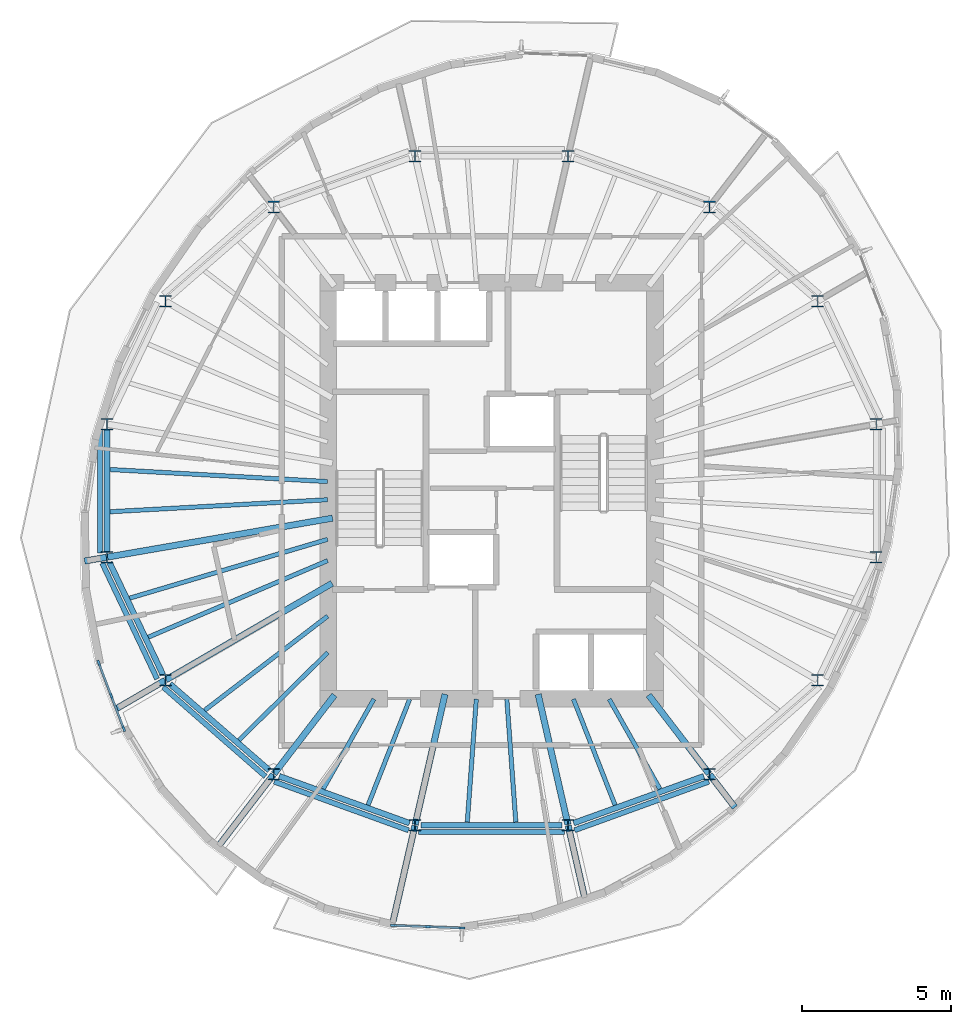
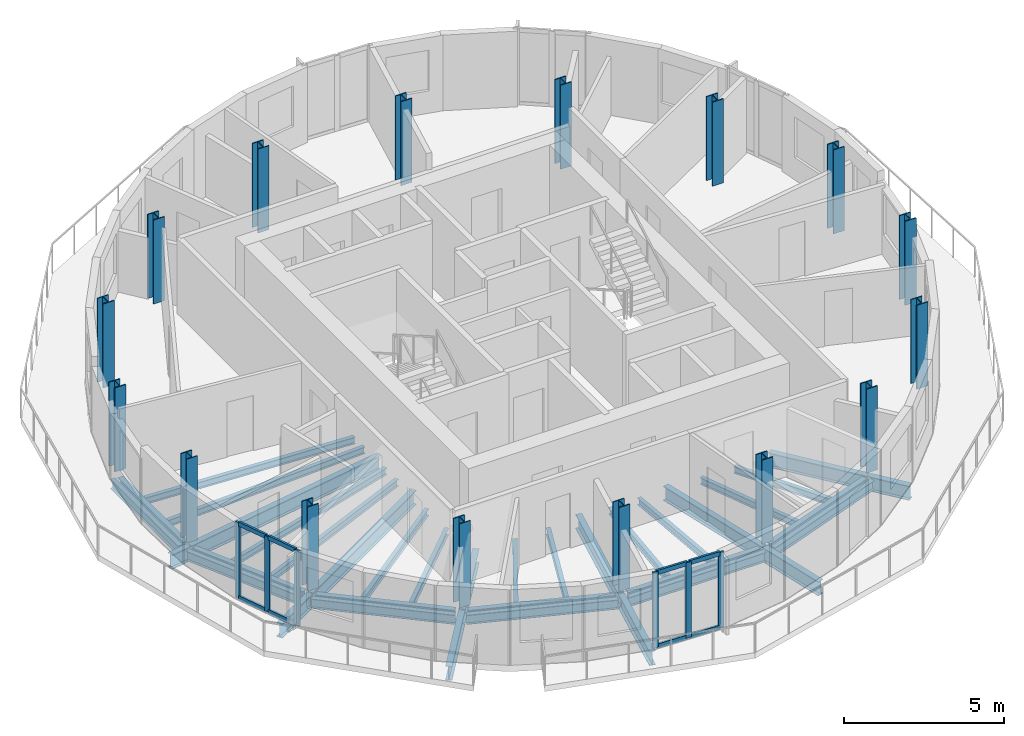
# One storey, part 1 of 11: 36 beams, 16 columns, 14 members, 2 elements without a shape of their own.
"""IFC4 building model written with IfcOpenShell, lengths in metres."""

from ifc_helpers import new_model, si_unit, direction, frame, origin, origin_2d, place, context, subcontext, project, spatial, rectangle, i_section, extrude, material, material_profile, profile_set, type_object, element, aggregate, save


model = new_model("IFC4")

# Units and contexts
model_context = context("Model", 3, precision=1e-05, world=origin(), true_north=direction((0.0, 1.0)))
body_context = subcontext(model_context, "Body", "Model", "MODEL_VIEW")
ifc_project = project(units=[si_unit("LENGTHUNIT", "METRE"), si_unit("AREAUNIT", "SQUARE_METRE"), si_unit("VOLUMEUNIT", "CUBIC_METRE"), si_unit("PLANEANGLEUNIT", "RADIAN"), si_unit("MASSUNIT", "GRAM", prefix="KILO")], contexts=[model_context])

# Site, building, storey
site_placement = place(None, origin())
site = spatial("IfcSite", under=ifc_project, at=site_placement, CompositionType="ELEMENT")
building_placement = place(site_placement, origin())
building = spatial("IfcBuilding", under=site, at=building_placement, Name="Veldorim Arch Residences", CompositionType="ELEMENT")
storey_placement = place(building_placement, frame((0.0, 0.0, 239.840087890625)))
storey = spatial("IfcBuildingStorey", under=building, at=storey_placement, Name="L72", CompositionType="ELEMENT", Elevation=239.840087890625)

# Columns
ifc_material_1 = material(Name="Steel S460", Category="steel")
ifc_material_profile_1 = material_profile(ifc_material_1, i_section(OverallWidth=0.39892578125, OverallDepth=0.3935546875, WebThickness=0.022705078125, FlangeThickness=0.03662109375, at=origin_2d()), Name="UC356x406x287")
ifc_profile_set_1 = profile_set([ifc_material_profile_1], Name="Steel S460")
column_type = type_object("IfcColumnType", Name="Structural Column UC356x406x287", PredefinedType="COLUMN", material=ifc_profile_set_1)
for number, where, z_axis, x_axis, name in (
    (1, (44.9462890625, 26.239501953125, 0.0), (0.0, 0.0, 1.0), (1.0, 0.0, 0.0), "L72 TC-Z4-01 perimeter column"),
    (2, (42.975341796875, 30.3779296875, 0.0), (0.0, 0.0, 1.0), (1.0, 0.0, 0.0), "L72 TC-Z4-02 perimeter column"),
    (3, (39.33349609375, 33.54541015625, 0.0), (0.0, 0.0, 1.0), (1.0, 0.0, 0.0), "L72 TC-Z4-03 perimeter column"),
    (4, (34.5751953125, 35.259521484375, 0.0), (0.0, 0.0, 1.0), (1.0, 0.0, 0.0), "L72 TC-Z4-04 perimeter column"),
    (5, (29.4248046875, 35.259521484375, 0.0), (0.0, 0.0, 1.0), (1.0, 0.0, 0.0), "L72 TC-Z4-05 perimeter column"),
    (6, (24.66650390625, 33.54541015625, 0.0), (0.0, 0.0, 1.0), (1.0, 0.0, 0.0), "L72 TC-Z4-06 perimeter column"),
    (7, (21.024658203125, 30.3779296875, 0.0), (0.0, 0.0, 1.0), (1.0, 0.0, 0.0), "L72 TC-Z4-07 perimeter column"),
    (8, (19.0537109375, 26.239501953125, 0.0), (0.0, 0.0, 1.0), (1.0, 0.0, 0.0), "L72 TC-Z4-08 perimeter column"),
    (9, (19.0537109375, 21.760498046875, 0.0), (0.0, 0.0, 1.0), (1.0, 0.0, 0.0), "L72 TC-Z4-09 perimeter column"),
    (10, (21.024658203125, 17.6220703125, 0.0), (0.0, 0.0, 1.0), (1.0, 0.0, 0.0), "L72 TC-Z4-10 perimeter column"),
    (11, (24.66650390625, 14.45458984375, 0.0), (0.0, 0.0, 1.0), (1.0, 0.0, 0.0), "L72 TC-Z4-11 perimeter column"),
    (12, (29.4248046875, 12.740478515625, 0.0), (0.0, 0.0, 1.0), (1.0, 0.0, 0.0), "L72 TC-Z4-12 perimeter column"),
    (13, (34.5751953125, 12.740478515625, 0.0), (0.0, 0.0, 1.0), (1.0, 0.0, 0.0), "L72 TC-Z4-13 perimeter column"),
    (14, (39.33349609375, 14.45458984375, 0.0), (0.0, 0.0, 1.0), (1.0, 0.0, 0.0), "L72 TC-Z4-14 perimeter column"),
    (15, (42.975341796875, 17.6220703125, 0.0), (0.0, 0.0, 1.0), (1.0, 0.0, 0.0), "L72 TC-Z4-15 perimeter column"),
    (16, (44.9462890625, 21.760498046875, 0.0), (0.0, 0.0, 1.0), (1.0, 0.0, 0.0), "L72 TC-Z4-16 perimeter column"),
):
    element("IfcColumn", number, at=place(storey_placement, frame(where, z_axis=z_axis, x_axis=x_axis)), inside=storey, type_object=column_type, Name=name, PredefinedType="COLUMN", context=body_context, shape_type="SweptSolid", body=[
        extrude(i_section(OverallWidth=0.39892578125, OverallDepth=0.3935546875, WebThickness=0.022705078125, FlangeThickness=0.03662109375, at=origin_2d()), origin(), (0.0, 0.0, 1.0), 3.199951171875),
    ])

# Beams
ifc_material_2 = material(Name="Steel S355", Category="steel")
ifc_material_profile_2 = material_profile(ifc_material_2, i_section(OverallWidth=0.2119140625, OverallDepth=0.54443359375, WebThickness=0.0126953125, FlangeThickness=0.021240234375, at=origin_2d()), Name="UB533x210x122")
ifc_profile_set_2 = profile_set([ifc_material_profile_2], Name="Steel S355")
beam_type_1 = type_object("IfcBeamType", Name="Structural Steel Beam UB533x210x122", PredefinedType="BEAM", material=ifc_profile_set_2)
beam_1_placement = place(storey_placement, frame((26.647705078125, 23.07421875, -0.512451171875), z_axis=(-0.985364974081, -0.170457818401, 0.0), x_axis=(0.170457818401, -0.985364974081, 0.0)))
element("IfcBeam", 17, at=beam_1_placement, inside=storey, type_object=beam_type_1, Name="L72 radial floor girder 09", PredefinedType="BEAM", context=body_context, shape_type="SweptSolid", body=[
    extrude(i_section(OverallWidth=0.2119140625, OverallDepth=0.54443359375, WebThickness=0.0126953125, FlangeThickness=0.021240234375, at=origin_2d()), origin(), (0.0, 0.0, 1.0), 7.68701171875),
])
beam_2_placement = place(storey_placement, frame((19.033935546875, 21.757080078125, -0.512451171875), z_axis=(-0.985346265547, -0.170565931453, 0.0), x_axis=(0.170565931453, -0.985346265547, 0.0)))
element("IfcBeam", 18, at=beam_2_placement, inside=storey, type_object=beam_type_1, Name="L72 radial edge cantilever girder 09", PredefinedType="BEAM", context=body_context, shape_type="SweptSolid", body=[
    extrude(i_section(OverallWidth=0.2119140625, OverallDepth=0.54443359375, WebThickness=0.0126953125, FlangeThickness=0.021240234375, at=origin_2d()), origin(), (0.0, 0.0, 1.0), 0.744384765625),
])
beam_3_placement = place(storey_placement, frame((26.629638671875, 20.87939453125, -0.512451171875), z_axis=(-0.864595736304, -0.502468121142, 0.0), x_axis=(0.502468121142, -0.864595736304, 0.0)))
element("IfcBeam", 19, at=beam_3_placement, inside=storey, type_object=beam_type_1, Name="L72 radial floor girder 10", PredefinedType="BEAM", context=body_context, shape_type="SweptSolid", body=[
    extrude(i_section(OverallWidth=0.2119140625, OverallDepth=0.54443359375, WebThickness=0.0126953125, FlangeThickness=0.021240234375, at=origin_2d()), origin(), (0.0, 0.0, 1.0), 6.462646484375),
])
beam_4_placement = place(storey_placement, frame((21.00732421875, 17.612060546875, -0.512451171875), z_axis=(-0.864624474783, -0.502418667653, 0.0), x_axis=(0.502418667653, -0.864624474783, 0.0)))
element("IfcBeam", 20, at=beam_4_placement, inside=storey, type_object=beam_type_1, Name="L72 radial edge cantilever girder 10", PredefinedType="BEAM", context=body_context, shape_type="SweptSolid", body=[
    extrude(i_section(OverallWidth=0.2119140625, OverallDepth=0.54443359375, WebThickness=0.0126953125, FlangeThickness=0.021240234375, at=origin_2d()), origin(), (0.0, 0.0, 1.0), 1.892578125),
])
beam_5_placement = place(storey_placement, frame((26.71337890625, 17.118896484375, -0.512451171875), z_axis=(-0.609258442308, -0.792971721108, 0.0), x_axis=(0.792971721108, -0.609258442308, 0.0)))
element("IfcBeam", 21, at=beam_5_placement, inside=storey, type_object=beam_type_1, Name="L72 radial floor girder 11", PredefinedType="BEAM", context=body_context, shape_type="SweptSolid", body=[
    extrude(i_section(OverallWidth=0.2119140625, OverallDepth=0.54443359375, WebThickness=0.0126953125, FlangeThickness=0.021240234375, at=origin_2d()), origin(), (0.0, 0.0, 1.0), 3.339599609375),
])
beam_6_placement = place(storey_placement, frame((24.654296875, 14.438720703125, -0.512451171875), z_axis=(-0.609237247817, -0.792988004873, 0.0), x_axis=(0.792988004873, -0.609237247817, 0.0)))
element("IfcBeam", 22, at=beam_6_placement, inside=storey, type_object=beam_type_1, Name="L72 radial edge cantilever girder 11", PredefinedType="BEAM", context=body_context, shape_type="SweptSolid", body=[
    extrude(i_section(OverallWidth=0.2119140625, OverallDepth=0.54443359375, WebThickness=0.0126953125, FlangeThickness=0.021240234375, at=origin_2d()), origin(), (0.0, 0.0, 1.0), 3.09033203125),
])
beam_7_placement = place(storey_placement, frame((30.432373046875, 17.146240234375, -0.512451171875), z_axis=(-0.222952976993, -0.97482920045, 0.0), x_axis=(0.97482920045, -0.222952976993, 0.0)))
element("IfcBeam", 23, at=beam_7_placement, inside=storey, type_object=beam_type_1, Name="L72 radial floor girder 12", PredefinedType="BEAM", context=body_context, shape_type="SweptSolid", body=[
    extrude(i_section(OverallWidth=0.2119140625, OverallDepth=0.54443359375, WebThickness=0.0126953125, FlangeThickness=0.021240234375, at=origin_2d()), origin(), (0.0, 0.0, 1.0), 4.49951171875),
])
beam_8_placement = place(storey_placement, frame((29.42041015625, 12.72119140625, -0.512451171875), z_axis=(-0.222994562623, -0.974819688476, 0.0), x_axis=(0.974819688476, -0.222994562623, 0.0)))
element("IfcBeam", 24, at=beam_8_placement, inside=storey, type_object=beam_type_1, Name="L72 radial edge cantilever girder 12", PredefinedType="BEAM", context=body_context, shape_type="SweptSolid", body=[
    extrude(i_section(OverallWidth=0.2119140625, OverallDepth=0.54443359375, WebThickness=0.0126953125, FlangeThickness=0.021240234375, at=origin_2d()), origin(), (0.0, 0.0, 1.0), 3.280029296875),
])
beam_9_placement = place(storey_placement, frame((33.567626953125, 17.146240234375, -0.512451171875), z_axis=(0.222952976993, -0.97482920045, 0.0), x_axis=(0.97482920045, 0.222952976993, 0.0)))
element("IfcBeam", 25, at=beam_9_placement, inside=storey, type_object=beam_type_1, Name="L72 radial floor girder 13", PredefinedType="BEAM", context=body_context, shape_type="SweptSolid", body=[
    extrude(i_section(OverallWidth=0.2119140625, OverallDepth=0.54443359375, WebThickness=0.0126953125, FlangeThickness=0.021240234375, at=origin_2d()), origin(), (0.0, 0.0, 1.0), 4.49951171875),
])
beam_10_placement = place(storey_placement, frame((34.57958984375, 12.72119140625, -0.512451171875), z_axis=(0.222987741218, -0.974821248879, 0.0), x_axis=(0.974821248879, 0.222987741218, 0.0)))
element("IfcBeam", 26, at=beam_10_placement, inside=storey, type_object=beam_type_1, Name="L72 radial edge cantilever girder 13", PredefinedType="BEAM", context=body_context, shape_type="SweptSolid", body=[
    extrude(i_section(OverallWidth=0.2119140625, OverallDepth=0.54443359375, WebThickness=0.0126953125, FlangeThickness=0.021240234375, at=origin_2d()), origin(), (0.0, 0.0, 1.0), 2.56298828125),
])
beam_11_placement = place(storey_placement, frame((37.28662109375, 17.118896484375, -0.512451171875), z_axis=(0.609258442308, -0.792971721108, 0.0), x_axis=(0.792971721108, 0.609258442308, 0.0)))
element("IfcBeam", 27, at=beam_11_placement, inside=storey, type_object=beam_type_1, Name="L72 radial floor girder 14", PredefinedType="BEAM", context=body_context, shape_type="SweptSolid", body=[
    extrude(i_section(OverallWidth=0.2119140625, OverallDepth=0.54443359375, WebThickness=0.0126953125, FlangeThickness=0.021240234375, at=origin_2d()), origin(), (0.0, 0.0, 1.0), 3.339599609375),
])
beam_12_placement = place(storey_placement, frame((39.345703125, 14.438720703125, -0.512451171875), z_axis=(0.609217680659, -0.793003037555, 0.0), x_axis=(0.793003037555, 0.609217680659, 0.0)))
element("IfcBeam", 28, at=beam_12_placement, inside=storey, type_object=beam_type_1, Name="L72 radial edge cantilever girder 14", PredefinedType="BEAM", context=body_context, shape_type="SweptSolid", body=[
    extrude(i_section(OverallWidth=0.2119140625, OverallDepth=0.54443359375, WebThickness=0.0126953125, FlangeThickness=0.021240234375, at=origin_2d()), origin(), (0.0, 0.0, 1.0), 1.38818359375),
])
ifc_material_3 = material(Name="Steel S355", Category="steel")
ifc_material_profile_3 = material_profile(ifc_material_3, i_section(OverallWidth=0.146484375, OverallDepth=0.256103515625, WebThickness=0.00634765625, FlangeThickness=0.010986328125, at=origin_2d()), Name="UB254x146x37")
ifc_profile_set_3 = profile_set([ifc_material_profile_3], Name="Steel S355")
beam_type_2 = type_object("IfcBeamType", Name="Structural Steel Joist UB254x146x37", PredefinedType="JOIST", material=ifc_profile_set_3)
for number, where, z_axis, x_axis, name in (
    (29, (26.47998046875, 24.3056640625, -0.3681640625), (-0.998472000884, 0.055259962464, 0.0), (-0.055259962464, -0.998472000884, 0.0), "L72 secondary radial floor joist 08-1"),
    (30, (26.47998046875, 23.6943359375, -0.3681640625), (-0.998472000884, -0.055259962464, 0.0), (0.055259962464, -0.998472000884, 0.0), "L72 secondary radial floor joist 08-2"),
):
    element("IfcBeam", number, at=place(storey_placement, frame(where, z_axis=z_axis, x_axis=x_axis)), inside=storey, type_object=beam_type_2, Name=name, PredefinedType="JOIST", context=body_context, shape_type="SweptSolid", body=[
        extrude(i_section(OverallWidth=0.146484375, OverallDepth=0.256103515625, WebThickness=0.00634765625, FlangeThickness=0.010986328125, at=origin_2d()), origin(), (0.0, 0.0, 1.0), 7.33837890625),
    ])
beam_13_placement = place(storey_placement, frame((26.480712890625, 22.360595703125, -0.3681640625), z_axis=(-0.958594432792, -0.284774846889, 0.0), x_axis=(0.284774846889, -0.958594432792, 0.0)))
element("IfcBeam", 31, at=beam_13_placement, inside=storey, type_object=beam_type_2, Name="L72 secondary radial floor joist 09-1", PredefinedType="JOIST", context=body_context, shape_type="SweptSolid", body=[
    extrude(i_section(OverallWidth=0.146484375, OverallDepth=0.256103515625, WebThickness=0.00634765625, FlangeThickness=0.010986328125, at=origin_2d()), origin(), (0.0, 0.0, 1.0), 6.949462890625),
])
beam_14_placement = place(storey_placement, frame((26.481689453125, 21.644287109375, -0.3681640625), z_axis=(-0.919725161652, -0.392562895629, 0.0), x_axis=(0.392562895629, -0.919725161652, 0.0)))
element("IfcBeam", 32, at=beam_14_placement, inside=storey, type_object=beam_type_2, Name="L72 secondary radial floor joist 09-2", PredefinedType="JOIST", context=body_context, shape_type="SweptSolid", body=[
    extrude(i_section(OverallWidth=0.146484375, OverallDepth=0.256103515625, WebThickness=0.00634765625, FlangeThickness=0.010986328125, at=origin_2d()), origin(), (0.0, 0.0, 1.0), 6.5625),
])
beam_15_placement = place(storey_placement, frame((26.484130859375, 19.777099609375, -0.3681640625), z_axis=(-0.794013672216, -0.607899899929, 0.0), x_axis=(0.607899899929, -0.794013672216, 0.0)))
element("IfcBeam", 33, at=beam_15_placement, inside=storey, type_object=beam_type_2, Name="L72 secondary radial floor joist 10-1", PredefinedType="JOIST", context=body_context, shape_type="SweptSolid", body=[
    extrude(i_section(OverallWidth=0.146484375, OverallDepth=0.256103515625, WebThickness=0.00634765625, FlangeThickness=0.010986328125, at=origin_2d()), origin(), (0.0, 0.0, 1.0), 5.217041015625),
])
beam_16_placement = place(storey_placement, frame((26.48583984375, 18.55224609375, -0.3681640625), z_axis=(-0.711396725432, -0.702790650937, 0.0), x_axis=(0.702790650937, -0.711396725432, 0.0)))
element("IfcBeam", 34, at=beam_16_placement, inside=storey, type_object=beam_type_2, Name="L72 secondary radial floor joist 10-2", PredefinedType="JOIST", context=body_context, shape_type="SweptSolid", body=[
    extrude(i_section(OverallWidth=0.146484375, OverallDepth=0.256103515625, WebThickness=0.00634765625, FlangeThickness=0.010986328125, at=origin_2d()), origin(), (0.0, 0.0, 1.0), 4.198486328125),
])
beam_17_placement = place(storey_placement, frame((28.039794921875, 16.982666015625, -0.3681640625), z_axis=(-0.491452469585, -0.870904397818, 0.0), x_axis=(0.870904397818, -0.491452469585, 0.0)))
element("IfcBeam", 35, at=beam_17_placement, inside=storey, type_object=beam_type_2, Name="L72 secondary radial floor joist 11-1", PredefinedType="JOIST", context=body_context, shape_type="SweptSolid", body=[
    extrude(i_section(OverallWidth=0.146484375, OverallDepth=0.256103515625, WebThickness=0.00634765625, FlangeThickness=0.010986328125, at=origin_2d()), origin(), (0.0, 0.0, 1.0), 3.472412109375),
])
beam_18_placement = place(storey_placement, frame((29.24365234375, 16.9814453125, -0.3681640625), z_axis=(-0.365581383042, -0.930779379001, 0.0), x_axis=(0.930779379001, -0.365581383042, 0.0)))
element("IfcBeam", 36, at=beam_18_placement, inside=storey, type_object=beam_type_2, Name="L72 secondary radial floor joist 11-2", PredefinedType="JOIST", context=body_context, shape_type="SweptSolid", body=[
    extrude(i_section(OverallWidth=0.146484375, OverallDepth=0.256103515625, WebThickness=0.00634765625, FlangeThickness=0.010986328125, at=origin_2d()), origin(), (0.0, 0.0, 1.0), 3.83056640625),
])
for number, where, z_axis, x_axis, name in (
    (37, (31.486083984375, 16.97998046875, -0.3681640625), (-0.072985625899, -0.997332992742, 0.0), (0.997332992742, -0.072985625899, 0.0), "L72 secondary radial floor joist 12-1"),
    (38, (32.513916015625, 16.97998046875, -0.3681640625), (0.072985625899, -0.997332992742, 0.0), (0.997332992742, 0.072985625899, 0.0), "L72 secondary radial floor joist 12-2"),
):
    element("IfcBeam", number, at=place(storey_placement, frame(where, z_axis=z_axis, x_axis=x_axis)), inside=storey, type_object=beam_type_2, Name=name, PredefinedType="JOIST", context=body_context, shape_type="SweptSolid", body=[
        extrude(i_section(OverallWidth=0.146484375, OverallDepth=0.256103515625, WebThickness=0.00634765625, FlangeThickness=0.010986328125, at=origin_2d()), origin(), (0.0, 0.0, 1.0), 4.151123046875),
    ])
beam_19_placement = place(storey_placement, frame((34.75634765625, 16.9814453125, -0.3681640625), z_axis=(0.365581383042, -0.930779379001, 0.0), x_axis=(0.930779379001, 0.365581383042, 0.0)))
element("IfcBeam", 39, at=beam_19_placement, inside=storey, type_object=beam_type_2, Name="L72 secondary radial floor joist 13-1", PredefinedType="JOIST", context=body_context, shape_type="SweptSolid", body=[
    extrude(i_section(OverallWidth=0.146484375, OverallDepth=0.256103515625, WebThickness=0.00634765625, FlangeThickness=0.010986328125, at=origin_2d()), origin(), (0.0, 0.0, 1.0), 3.83056640625),
])
beam_20_placement = place(storey_placement, frame((35.960205078125, 16.982666015625, -0.3681640625), z_axis=(0.491452469585, -0.870904397818, 0.0), x_axis=(0.870904397818, 0.491452469585, 0.0)))
element("IfcBeam", 40, at=beam_20_placement, inside=storey, type_object=beam_type_2, Name="L72 secondary radial floor joist 13-2", PredefinedType="JOIST", context=body_context, shape_type="SweptSolid", body=[
    extrude(i_section(OverallWidth=0.146484375, OverallDepth=0.256103515625, WebThickness=0.00634765625, FlangeThickness=0.010986328125, at=origin_2d()), origin(), (0.0, 0.0, 1.0), 3.472412109375),
])
ifc_material_4 = material(Name="Steel S355", Category="steel")
ifc_material_profile_4 = material_profile(ifc_material_4, i_section(OverallWidth=0.172119140625, OverallDepth=0.35791015625, WebThickness=0.008056640625, FlangeThickness=0.012939453125, at=origin_2d()), Name="UB356x171x57")
ifc_profile_set_4 = profile_set([ifc_material_profile_4], Name="Steel S355")
beam_type_3 = type_object("IfcBeamType", Name="Structural Steel Spandrel UB356x171x57", PredefinedType="SPANDREL", material=ifc_profile_set_4)
beam_21_placement = place(storey_placement, frame((18.817138671875, 26.10498046875, -0.439208984375), z_axis=(0.0, -1.0, 0.0), x_axis=(1.0, 0.0, 0.0)))
element("IfcBeam", 41, at=beam_21_placement, inside=storey, type_object=beam_type_3, Name="L72 perimeter chord spandrel beam 08", PredefinedType="SPANDREL", context=body_context, shape_type="SweptSolid", body=[
    extrude(i_section(OverallWidth=0.172119140625, OverallDepth=0.35791015625, WebThickness=0.008056640625, FlangeThickness=0.012939453125, at=origin_2d()), origin(), (0.0, 0.0, 1.0), 4.2099609375),
])
beam_22_placement = place(storey_placement, frame((18.892333984375, 21.560791015625, -0.439208984375), z_axis=(0.428453398876, -0.903563879862, 0.0), x_axis=(0.903563879862, 0.428453398876, 0.0)))
element("IfcBeam", 42, at=beam_22_placement, inside=storey, type_object=beam_type_3, Name="L72 perimeter chord spandrel beam 09", PredefinedType="SPANDREL", context=body_context, shape_type="SweptSolid", body=[
    extrude(i_section(OverallWidth=0.172119140625, OverallDepth=0.35791015625, WebThickness=0.008056640625, FlangeThickness=0.012939453125, at=origin_2d()), origin(), (0.0, 0.0, 1.0), 4.31689453125),
])
beam_23_placement = place(storey_placement, frame((20.94921875, 17.385986328125, -0.439208984375), z_axis=(0.752901089301, -0.658133686821, 0.0), x_axis=(0.658133686821, 0.752901089301, 0.0)))
element("IfcBeam", 43, at=beam_23_placement, inside=storey, type_object=beam_type_3, Name="L72 perimeter chord spandrel beam 10", PredefinedType="SPANDREL", context=body_context, shape_type="SweptSolid", body=[
    extrude(i_section(OverallWidth=0.172119140625, OverallDepth=0.35791015625, WebThickness=0.008056640625, FlangeThickness=0.012939453125, at=origin_2d()), origin(), (0.0, 0.0, 1.0), 4.567626953125),
])
beam_24_placement = place(storey_placement, frame((24.685302734375, 14.20458984375, -0.439208984375), z_axis=(0.940181197783, -0.340674794099, 0.0), x_axis=(0.340674794099, 0.940181197783, 0.0)))
element("IfcBeam", 44, at=beam_24_placement, inside=storey, type_object=beam_type_3, Name="L72 perimeter chord spandrel beam 11", PredefinedType="SPANDREL", context=body_context, shape_type="SweptSolid", body=[
    extrude(i_section(OverallWidth=0.172119140625, OverallDepth=0.35791015625, WebThickness=0.008056640625, FlangeThickness=0.012939453125, at=origin_2d()), origin(), (0.0, 0.0, 1.0), 4.80859375),
])
beam_25_placement = place(storey_placement, frame((29.546875, 12.506591796875, -0.439208984375), z_axis=(1.0, 0.0, 0.0), x_axis=(0.0, 1.0, 0.0)))
element("IfcBeam", 45, at=beam_25_placement, inside=storey, type_object=beam_type_3, Name="L72 perimeter chord spandrel beam 12", PredefinedType="SPANDREL", context=body_context, shape_type="SweptSolid", body=[
    extrude(i_section(OverallWidth=0.172119140625, OverallDepth=0.35791015625, WebThickness=0.008056640625, FlangeThickness=0.012939453125, at=origin_2d()), origin(), (0.0, 0.0, 1.0), 4.90625),
])
beam_26_placement = place(storey_placement, frame((34.793701171875, 12.56640625, -0.439208984375), z_axis=(0.940181197783, 0.340674794099, 0.0), x_axis=(-0.340674794099, 0.940181197783, 0.0)))
element("IfcBeam", 46, at=beam_26_placement, inside=storey, type_object=beam_type_3, Name="L72 perimeter chord spandrel beam 13", PredefinedType="SPANDREL", context=body_context, shape_type="SweptSolid", body=[
    extrude(i_section(OverallWidth=0.172119140625, OverallDepth=0.35791015625, WebThickness=0.008056640625, FlangeThickness=0.012939453125, at=origin_2d()), origin(), (0.0, 0.0, 1.0), 4.80859375),
])
ifc_material_5 = material(Name="Steel S355", Category="steel")
ifc_material_profile_5 = material_profile(ifc_material_5, i_section(OverallWidth=0.19140625, OverallDepth=0.4599609375, WebThickness=0.010009765625, FlangeThickness=0.01611328125, at=origin_2d()), Name="UB457x191x82")
ifc_profile_set_5 = profile_set([ifc_material_profile_5], Name="Steel S355")
beam_type_4 = type_object("IfcBeamType", Name="Structural Steel Spandrel UB457x191x82", PredefinedType="SPANDREL", material=ifc_profile_set_5)
beam_27_placement = place(storey_placement, frame((19.0537109375, 26.0400390625, -0.469970703125), z_axis=(0.0, -1.0, 0.0), x_axis=(1.0, 0.0, 0.0)))
element("IfcBeam", 47, at=beam_27_placement, inside=storey, type_object=beam_type_4, Name="L72 perimeter ring tie beam 08", PredefinedType="SPANDREL", context=body_context, shape_type="SweptSolid", body=[
    extrude(i_section(OverallWidth=0.19140625, OverallDepth=0.4599609375, WebThickness=0.010009765625, FlangeThickness=0.01611328125, at=origin_2d()), origin(), (0.0, 0.0, 1.0), 4.080078125),
])
beam_28_placement = place(storey_placement, frame((19.139404296875, 21.580322265625, -0.469970703125), z_axis=(0.42997887291, -0.902838949564, 0.0), x_axis=(0.902838949564, 0.42997887291, 0.0)))
element("IfcBeam", 48, at=beam_28_placement, inside=storey, type_object=beam_type_4, Name="L72 perimeter ring tie beam 09", PredefinedType="SPANDREL", context=body_context, shape_type="SweptSolid", body=[
    extrude(i_section(OverallWidth=0.19140625, OverallDepth=0.4599609375, WebThickness=0.010009765625, FlangeThickness=0.01611328125, at=origin_2d()), origin(), (0.0, 0.0, 1.0), 4.1845703125),
])
beam_29_placement = place(storey_placement, frame((21.175048828125, 17.4912109375, -0.469970703125), z_axis=(0.754578219063, -0.656210112171, 0.0), x_axis=(0.656210112171, 0.754578219063, 0.0)))
element("IfcBeam", 49, at=beam_29_placement, inside=storey, type_object=beam_type_4, Name="L72 perimeter ring tie beam 10", PredefinedType="SPANDREL", context=body_context, shape_type="SweptSolid", body=[
    extrude(i_section(OverallWidth=0.19140625, OverallDepth=0.4599609375, WebThickness=0.010009765625, FlangeThickness=0.01611328125, at=origin_2d()), origin(), (0.0, 0.0, 1.0), 4.427734375),
])
beam_30_placement = place(storey_placement, frame((24.854248046875, 14.38720703125, -0.469970703125), z_axis=(0.940799194754, -0.338964415757, 0.0), x_axis=(0.338964415757, 0.940799194754, 0.0)))
element("IfcBeam", 50, at=beam_30_placement, inside=storey, type_object=beam_type_4, Name="L72 perimeter ring tie beam 11", PredefinedType="SPANDREL", context=body_context, shape_type="SweptSolid", body=[
    extrude(i_section(OverallWidth=0.19140625, OverallDepth=0.4599609375, WebThickness=0.010009765625, FlangeThickness=0.01611328125, at=origin_2d()), origin(), (0.0, 0.0, 1.0), 4.65869140625),
])
beam_31_placement = place(storey_placement, frame((29.624267578125, 12.740478515625, -0.469970703125), z_axis=(1.0, 0.0, 0.0), x_axis=(0.0, 1.0, 0.0)))
element("IfcBeam", 51, at=beam_31_placement, inside=storey, type_object=beam_type_4, Name="L72 perimeter ring tie beam 12", PredefinedType="SPANDREL", context=body_context, shape_type="SweptSolid", body=[
    extrude(i_section(OverallWidth=0.19140625, OverallDepth=0.4599609375, WebThickness=0.010009765625, FlangeThickness=0.01611328125, at=origin_2d()), origin(), (0.0, 0.0, 1.0), 4.75146484375),
])
beam_32_placement = place(storey_placement, frame((34.762939453125, 12.80810546875, -0.469970703125), z_axis=(0.940799194754, 0.338964415757, 0.0), x_axis=(-0.338964415757, 0.940799194754, 0.0)))
element("IfcBeam", 52, at=beam_32_placement, inside=storey, type_object=beam_type_4, Name="L72 perimeter ring tie beam 13", PredefinedType="SPANDREL", context=body_context, shape_type="SweptSolid", body=[
    extrude(i_section(OverallWidth=0.19140625, OverallDepth=0.4599609375, WebThickness=0.010009765625, FlangeThickness=0.01611328125, at=origin_2d()), origin(), (0.0, 0.0, 1.0), 4.65869140625),
])

# Curtain wall, members
ifc_material_6 = material(Name="Aluminium", Category="aluminium")
curtain_wall_type = type_object("IfcCurtainWallType", Name="Zone 4 High-Altitude Unitised Curtain Wall", PredefinedType="NOTDEFINED", material=ifc_material_6)
curtain_wall_1_placement = place(storey_placement, origin())
curtain_wall_1 = element("IfcCurtainWall", 53, at=curtain_wall_1_placement, inside=storey, type_object=curtain_wall_type, Name="L72 unitised curtain wall bay 15", PredefinedType="NOTDEFINED")
ifc_material_7 = material(Name="Aluminium", Category="aluminium")
ifc_material_profile_6 = material_profile(ifc_material_7, rectangle(XDim=0.074951171875, YDim=0.195068359375, at=origin_2d()), Name="ALU_MUL_75x195")
ifc_profile_set_6 = profile_set([ifc_material_profile_6], Name="Aluminium")
member_type_1 = type_object("IfcMemberType", Name="Zone 4 High-Altitude Unitised Curtain Wall Mullion 75x195", PredefinedType="MULLION", material=ifc_profile_set_6)
member_1_placement = place(storey_placement, frame((19.618408203125, 15.985107421875, 0.0), z_axis=(0.0, 0.0, 1.0), x_axis=(-0.934865414393, -0.355002333755, 0.0)))
member_1 = element("IfcMember", 54, at=member_1_placement, type_object=member_type_1, Name="CW-Z4 mullion 1", PredefinedType="MULLION", context=body_context, shape_type="SweptSolid", body=[
    extrude(rectangle(XDim=0.074951171875, YDim=0.195068359375, at=origin_2d()), origin(), (0.0, 0.0, 1.0), 2.8798828125),
])
member_2_placement = place(storey_placement, frame((19.1982421875, 17.091552734375, 0.0), z_axis=(0.0, 0.0, 1.0), x_axis=(-0.934865414393, -0.355002333755, 0.0)))
member_2 = element("IfcMember", 55, at=member_2_placement, type_object=member_type_1, Name="CW-Z4 mullion 2", PredefinedType="MULLION", context=body_context, shape_type="SweptSolid", body=[
    extrude(rectangle(XDim=0.074951171875, YDim=0.195068359375, at=origin_2d()), origin(), (0.0, 0.0, 1.0), 2.8798828125),
])
member_3_placement = place(storey_placement, frame((18.778076171875, 18.197998046875, 0.0), z_axis=(0.0, 0.0, 1.0), x_axis=(-0.934865414393, -0.355002333755, 0.0)))
member_3 = element("IfcMember", 56, at=member_3_placement, type_object=member_type_1, Name="CW-Z4 mullion 3", PredefinedType="MULLION", context=body_context, shape_type="SweptSolid", body=[
    extrude(rectangle(XDim=0.074951171875, YDim=0.195068359375, at=origin_2d()), origin(), (0.0, 0.0, 1.0), 2.8798828125),
])

curtain_wall_2_placement = place(storey_placement, origin())
curtain_wall_2 = element("IfcCurtainWall", 57, at=curtain_wall_2_placement, inside=storey, type_object=curtain_wall_type, Name="L72 unitised curtain wall bay 21", PredefinedType="NOTDEFINED")
member_4_placement = place(storey_placement, frame((31.0068359375, 9.277099609375, 0.0), z_axis=(0.0, 0.0, 1.0), x_axis=(-0.037606436173, -0.999292627791, 0.0)))
member_4 = element("IfcMember", 58, at=member_4_placement, type_object=member_type_1, Name="CW-Z4 mullion 1", PredefinedType="MULLION", context=body_context, shape_type="SweptSolid", body=[
    extrude(rectangle(XDim=0.074951171875, YDim=0.195068359375, at=origin_2d()), origin(), (0.0, 0.0, 1.0), 2.8798828125),
])
member_5_placement = place(storey_placement, frame((29.851318359375, 9.320556640625, 0.0), z_axis=(0.0, 0.0, 1.0), x_axis=(-0.037606436173, -0.999292627791, 0.0)))
member_5 = element("IfcMember", 59, at=member_5_placement, type_object=member_type_1, Name="CW-Z4 mullion 2", PredefinedType="MULLION", context=body_context, shape_type="SweptSolid", body=[
    extrude(rectangle(XDim=0.074951171875, YDim=0.195068359375, at=origin_2d()), origin(), (0.0, 0.0, 1.0), 2.8798828125),
])
member_6_placement = place(storey_placement, frame((28.695556640625, 9.364013671875, 0.0), z_axis=(0.0, 0.0, 1.0), x_axis=(-0.037606436173, -0.999292627791, 0.0)))
member_6 = element("IfcMember", 60, at=member_6_placement, type_object=member_type_1, Name="CW-Z4 mullion 3", PredefinedType="MULLION", context=body_context, shape_type="SweptSolid", body=[
    extrude(rectangle(XDim=0.074951171875, YDim=0.195068359375, at=origin_2d()), origin(), (0.0, 0.0, 1.0), 2.8798828125),
])

# Member
ifc_material_8 = material(Name="Aluminium", Category="aluminium")
ifc_material_profile_7 = material_profile(ifc_material_8, rectangle(XDim=0.074951171875, YDim=0.1650390625, at=origin_2d()), Name="ALU_TRN_75x165")
ifc_profile_set_7 = profile_set([ifc_material_profile_7], Name="Aluminium")
member_type_2 = type_object("IfcMemberType", Name="Zone 4 High-Altitude Unitised Curtain Wall Transom 75x165", PredefinedType="USERDEFINED", material=ifc_profile_set_7)
member_7_placement = place(storey_placement, frame((19.60498046875, 16.020263671875, 0.037353515625), z_axis=(-0.355079172172, 0.934836232444, 0.0), x_axis=(-0.934836232444, -0.355079172172, 0.0)))
member_7 = element("IfcMember", 61, at=member_7_placement, type_object=member_type_2, Name="CW-Z4 transom 1.1", ObjectType="TRANSOM", PredefinedType="USERDEFINED", context=body_context, shape_type="SweptSolid", body=[
    extrude(rectangle(XDim=0.074951171875, YDim=0.1650390625, at=origin_2d()), origin(), (0.0, 0.0, 1.0), 1.1083984375),
])

member_8_placement = place(storey_placement, frame((19.60498046875, 16.020263671875, 2.842529296875), z_axis=(-0.355079172172, 0.934836232444, 0.0), x_axis=(-0.934836232444, -0.355079172172, 0.0)))
member_8 = element("IfcMember", 62, at=member_8_placement, type_object=member_type_2, Name="CW-Z4 transom 1.2", ObjectType="TRANSOM", PredefinedType="USERDEFINED", context=body_context, shape_type="SweptSolid", body=[
    extrude(rectangle(XDim=0.074951171875, YDim=0.1650390625, at=origin_2d()), origin(), (0.0, 0.0, 1.0), 1.1083984375),
])

member_9_placement = place(storey_placement, frame((19.184814453125, 17.126708984375, 0.037353515625), z_axis=(-0.355079172172, 0.934836232444, 0.0), x_axis=(-0.934836232444, -0.355079172172, 0.0)))
member_9 = element("IfcMember", 63, at=member_9_placement, type_object=member_type_2, Name="CW-Z4 transom 2.1", ObjectType="TRANSOM", PredefinedType="USERDEFINED", context=body_context, shape_type="SweptSolid", body=[
    extrude(rectangle(XDim=0.074951171875, YDim=0.1650390625, at=origin_2d()), origin(), (0.0, 0.0, 1.0), 1.1083984375),
])

member_10_placement = place(storey_placement, frame((19.184814453125, 17.126708984375, 2.842529296875), z_axis=(-0.355079172172, 0.934836232444, 0.0), x_axis=(-0.934836232444, -0.355079172172, 0.0)))
member_10 = element("IfcMember", 64, at=member_10_placement, type_object=member_type_2, Name="CW-Z4 transom 2.2", ObjectType="TRANSOM", PredefinedType="USERDEFINED", context=body_context, shape_type="SweptSolid", body=[
    extrude(rectangle(XDim=0.074951171875, YDim=0.1650390625, at=origin_2d()), origin(), (0.0, 0.0, 1.0), 1.1083984375),
])

aggregate(curtain_wall_1, [member_1, member_2, member_3, member_7, member_8, member_9, member_10])

member_11_placement = place(storey_placement, frame((30.96923828125, 9.2783203125, 0.037353515625), z_axis=(-0.999288922872, 0.037704756014, 0.0), x_axis=(-0.037704756014, -0.999288922872, 0.0)))
member_11 = element("IfcMember", 65, at=member_11_placement, type_object=member_type_2, Name="CW-Z4 transom 1.1", ObjectType="TRANSOM", PredefinedType="USERDEFINED", context=body_context, shape_type="SweptSolid", body=[
    extrude(rectangle(XDim=0.074951171875, YDim=0.1650390625, at=origin_2d()), origin(), (0.0, 0.0, 1.0), 1.081298828125),
])

member_12_placement = place(storey_placement, frame((30.96923828125, 9.2783203125, 2.842529296875), z_axis=(-0.999288922872, 0.037704756014, 0.0), x_axis=(-0.037704756014, -0.999288922872, 0.0)))
member_12 = element("IfcMember", 66, at=member_12_placement, type_object=member_type_2, Name="CW-Z4 transom 1.2", ObjectType="TRANSOM", PredefinedType="USERDEFINED", context=body_context, shape_type="SweptSolid", body=[
    extrude(rectangle(XDim=0.074951171875, YDim=0.1650390625, at=origin_2d()), origin(), (0.0, 0.0, 1.0), 1.081298828125),
])

member_13_placement = place(storey_placement, frame((29.813720703125, 9.322021484375, 0.037353515625), z_axis=(-0.999297404323, 0.037479297135, 0.0), x_axis=(-0.037479297135, -0.999297404323, 0.0)))
member_13 = element("IfcMember", 67, at=member_13_placement, type_object=member_type_2, Name="CW-Z4 transom 2.1", ObjectType="TRANSOM", PredefinedType="USERDEFINED", context=body_context, shape_type="SweptSolid", body=[
    extrude(rectangle(XDim=0.074951171875, YDim=0.1650390625, at=origin_2d()), origin(), (0.0, 0.0, 1.0), 1.081298828125),
])

member_14_placement = place(storey_placement, frame((29.813720703125, 9.322021484375, 2.842529296875), z_axis=(-0.999297404323, 0.037479297135, 0.0), x_axis=(-0.037479297135, -0.999297404323, 0.0)))
member_14 = element("IfcMember", 68, at=member_14_placement, type_object=member_type_2, Name="CW-Z4 transom 2.2", ObjectType="TRANSOM", PredefinedType="USERDEFINED", context=body_context, shape_type="SweptSolid", body=[
    extrude(rectangle(XDim=0.074951171875, YDim=0.1650390625, at=origin_2d()), origin(), (0.0, 0.0, 1.0), 1.081298828125),
])

aggregate(curtain_wall_2, [member_4, member_5, member_6, member_11, member_12, member_13, member_14])

save(model, "model.ifc")
